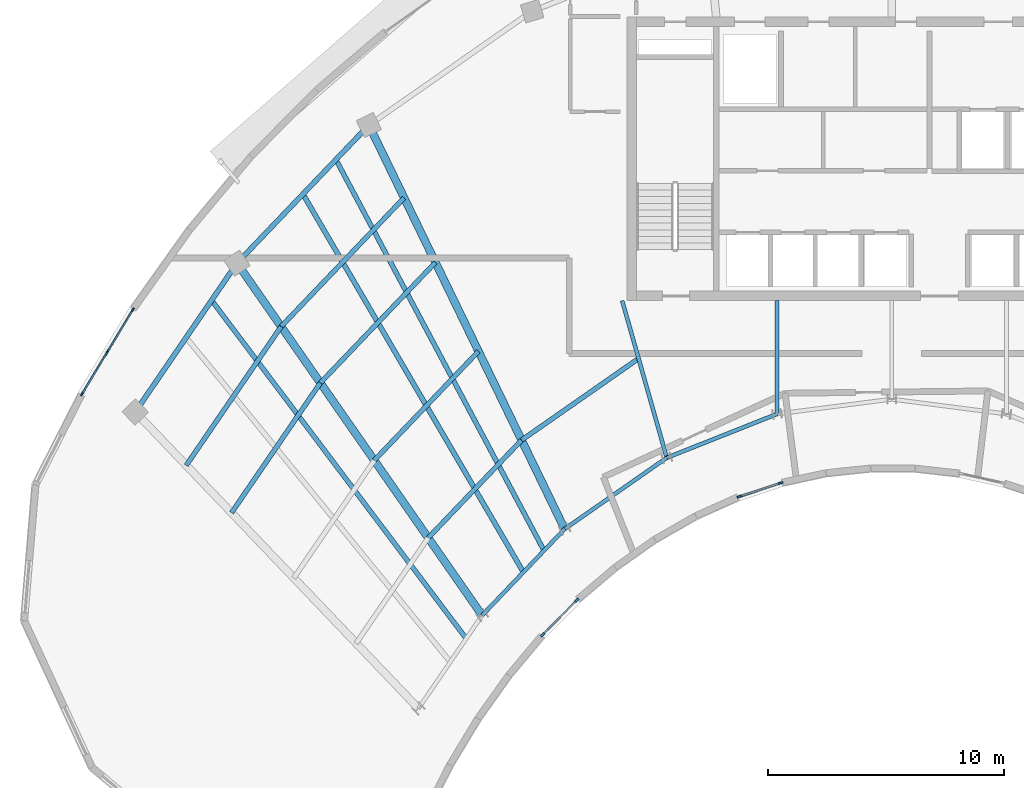
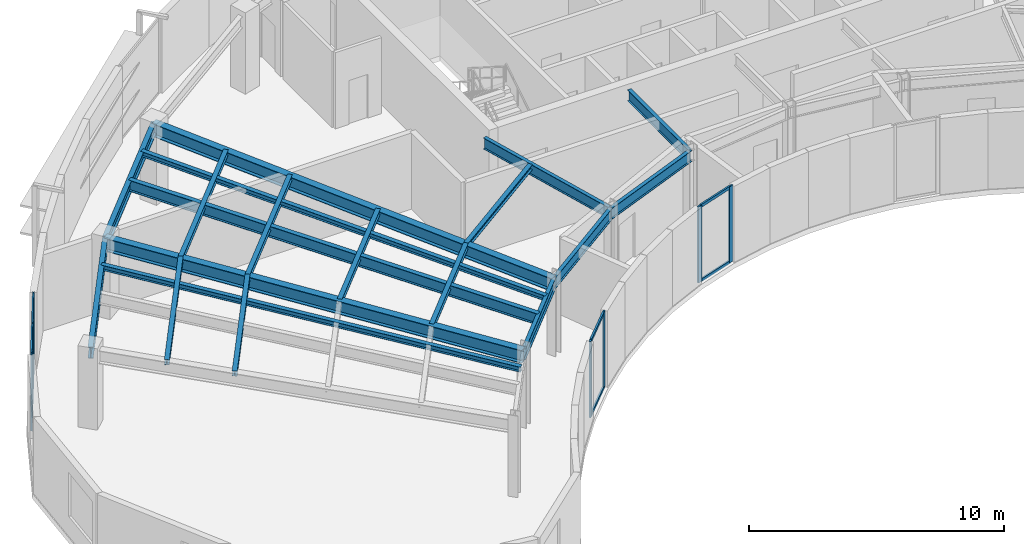
# One storey, part 2 of 12: 19 beams, 17 members, 3 elements without a shape of their own.
"""IFC4 building model written with IfcOpenShell, lengths in metres."""

import ifcopenshell
import ifcopenshell.guid

model = None  # the IFC model being written
_history = None  # IfcOwnerHistory: only IFC2X3 demands one
_inside = {}  # id of a spatial element -> (the spatial element, [elements in it])
_under = {}  # id of a project, library or spatial element -> (it, [spatial elements below it])
_declared = {}  # id of a project -> (the project, [libraries it declares])
_typed = {}  # id of a type object -> (the type object, [elements of that type])
_made_of = {}  # id of a material, layer set ... -> (it, [elements and type objects made of it])


def new_model(schema):
    """Start an empty IFC model of exactly this schema.

    Asked for "IFC4X3", IfcOpenShell would pick the latest addendum, in which some entities
    have other attributes; the version numbers below select the first issue.
    IFC2X3 requires an IfcOwnerHistory on every rooted entity: one is made here for all.
    """
    global model, _history
    if schema == "IFC4X3":
        model = ifcopenshell.file(schema_version=(4, 3, 0, 0))
    else:
        model = ifcopenshell.file(schema=schema)
    _inside.clear()
    _under.clear()
    _declared.clear()
    _typed.clear()
    _made_of.clear()
    _history = None
    if model.schema == "IFC2X3":
        org = make("IfcOrganization", Name="unknown")
        user = make(
            "IfcPersonAndOrganization",
            ThePerson=make("IfcPerson", FamilyName="unknown"),
            TheOrganization=org,
        )
        app = make(
            "IfcApplication",
            ApplicationDeveloper=org,
            Version="unknown",
            ApplicationFullName="unknown",
            ApplicationIdentifier="unknown",
        )
        _history = make(
            "IfcOwnerHistory",
            OwningUser=user,
            OwningApplication=app,
            ChangeAction="ADDED",
            CreationDate=0,
        )
    return model


def make(cls, **values):
    """One entity of the class cls with the attributes given. An attribute that is None is left unset."""
    return model.create_entity(
        cls, **{name: value for name, value in values.items() if value is not None}
    )


def rooted(cls, **values):
    """An entity with a GlobalId (a new one), such as an element, a storey or a relation."""
    return make(cls, GlobalId=ifcopenshell.guid.new(), OwnerHistory=_history, **values)


def si_unit(unit_type, name, prefix=None):
    """IfcSIUnit, for example si_unit("LENGTHUNIT", "METRE", prefix="MILLI")."""
    return make("IfcSIUnit", UnitType=unit_type, Prefix=prefix, Name=name)


def assignment(units):
    """IfcUnitAssignment: the units of a project."""
    return None if units is None else make("IfcUnitAssignment", Units=units)


def point(xyz):
    """IfcCartesianPoint."""
    return None if xyz is None else make("IfcCartesianPoint", Coordinates=xyz)


def direction(xyz):
    """IfcDirection."""
    return None if xyz is None else make("IfcDirection", DirectionRatios=xyz)


def frame(location, z_axis=None, x_axis=None):
    """IfcAxis2Placement3D, a coordinate frame: its origin and axes. An axis left out is left unset."""
    return make(
        "IfcAxis2Placement3D",
        Location=point(location),
        Axis=direction(z_axis),
        RefDirection=direction(x_axis),
    )


def frame_2d(location, x_axis=None):
    """IfcAxis2Placement2D, a coordinate frame in the plane: its origin and x axis."""
    return make(
        "IfcAxis2Placement2D", Location=point(location), RefDirection=direction(x_axis)
    )


def origin():
    """The frame at (0, 0, 0) with its axes left unset."""
    return frame((0.0, 0.0, 0.0))


def origin_2d():
    """The frame at (0, 0) in the plane with its x axis left unset."""
    return frame_2d((0.0, 0.0))


def place(relative_to, where):
    """IfcLocalPlacement: puts the frame where relative to a parent placement (None: the world)."""
    return make(
        "IfcLocalPlacement", PlacementRelTo=relative_to, RelativePlacement=where
    )


def context(
    kind, dimensions, precision=None, world=None, true_north=None, identifier=None
):
    """IfcGeometricRepresentationContext, for example the 3D "Model" context."""
    return make(
        "IfcGeometricRepresentationContext",
        ContextIdentifier=identifier,
        ContextType=kind,
        CoordinateSpaceDimension=dimensions,
        Precision=precision,
        WorldCoordinateSystem=world,
        TrueNorth=true_north,
    )


def subcontext(parent, identifier, kind, view, scale=None):
    """IfcGeometricRepresentationSubContext, for example "Body" below "Model"."""
    return make(
        "IfcGeometricRepresentationSubContext",
        ContextIdentifier=identifier,
        ContextType=kind,
        ParentContext=parent,
        TargetScale=scale,
        TargetView=view,
    )


def project(units=None, contexts=None):
    """IfcProject with its units and contexts."""
    return rooted(
        "IfcProject",
        Name="project",
        RepresentationContexts=contexts,
        UnitsInContext=assignment(units),
    )


def spatial(cls, under=None, at=None, **own):
    """A site, building, storey or space (cls), placed at a placement, below another one or the project."""
    s = rooted(cls, ObjectPlacement=at, **own)
    if under is not None:
        _under.setdefault(under.id(), (under, []))[1].append(s)
    return s


def profile(cls, at=None, kind="AREA", **sizes):
    """A parametric profile (cls). Its sizes go by their IFC names, for example OverallWidth=200.0."""
    return make(cls, ProfileType=kind, Position=at, **sizes)


def rectangle(**sizes):
    """IfcRectangleProfileDef."""
    return profile("IfcRectangleProfileDef", **sizes)


def i_section(**sizes):
    """IfcIShapeProfileDef."""
    return profile("IfcIShapeProfileDef", **sizes)


def extrude(swept, where, along, depth):
    """IfcExtrudedAreaSolid: the profile swept, set in the frame where, extruded along a direction by depth."""
    return make(
        "IfcExtrudedAreaSolid",
        SweptArea=swept,
        Position=where,
        ExtrudedDirection=direction(along),
        Depth=depth,
    )


def shape(context_of_items, identifier, shape_type, items):
    """IfcShapeRepresentation: the items that make up one representation, for example the "Body"."""
    return make(
        "IfcShapeRepresentation",
        ContextOfItems=context_of_items,
        RepresentationIdentifier=identifier,
        RepresentationType=shape_type,
        Items=items,
    )


def source(mapping_origin, context_of_items, identifier, shape_type, items):
    """IfcRepresentationMap: a shape defined once, which mapped items show again and again."""
    return make(
        "IfcRepresentationMap",
        MappingOrigin=mapping_origin,
        MappedRepresentation=shape(context_of_items, identifier, shape_type, items),
    )


def transform(
    local_origin,
    x_axis=None,
    y_axis=None,
    z_axis=None,
    scale=None,
    scale2=None,
    scale3=None,
    uniform=True,
):
    """IfcCartesianTransformationOperator3D, or its non-uniform kind. x_axis, y_axis, z_axis: its Axis1, 2, 3."""
    if uniform:
        return make(
            "IfcCartesianTransformationOperator3D",
            Axis1=direction(x_axis),
            Axis2=direction(y_axis),
            LocalOrigin=point(local_origin),
            Scale=scale,
            Axis3=direction(z_axis),
        )
    return make(
        "IfcCartesianTransformationOperator3DnonUniform",
        Axis1=direction(x_axis),
        Axis2=direction(y_axis),
        LocalOrigin=point(local_origin),
        Scale=scale,
        Axis3=direction(z_axis),
        Scale2=scale2,
        Scale3=scale3,
    )


def mapped(mapping_source, mapping_target):
    """IfcMappedItem: shows the shape of a source again, moved by a transform."""
    return make(
        "IfcMappedItem", MappingSource=mapping_source, MappingTarget=mapping_target
    )


def material(Name=None, Category=None):
    """IfcMaterial."""
    return make("IfcMaterial", Name=Name, Category=Category)


def layer(
    of_material, thickness, ventilated=None, Name=None, Category=None, Priority=None
):
    """IfcMaterialLayer: one layer of a wall or slab, of a material (None: an air gap)."""
    return make(
        "IfcMaterialLayer",
        Material=of_material,
        LayerThickness=thickness,
        IsVentilated=ventilated,
        Name=Name,
        Category=Category,
        Priority=Priority,
    )


def layer_set(layers, Name=None):
    """IfcMaterialLayerSet."""
    return make("IfcMaterialLayerSet", MaterialLayers=layers, LayerSetName=Name)


def material_profile(
    of_material, cross_section, Name=None, Category=None, Priority=None
):
    """IfcMaterialProfile: a cross section and its material."""
    return make(
        "IfcMaterialProfile",
        Name=Name,
        Material=of_material,
        Profile=cross_section,
        Priority=Priority,
        Category=Category,
    )


def profile_set(profiles, Name=None, composite=None):
    """IfcMaterialProfileSet."""
    return make(
        "IfcMaterialProfileSet",
        Name=Name,
        MaterialProfiles=profiles,
        CompositeProfile=composite,
    )


def made_of(thing, what):
    """Note that an element or type object is made of a material, layer set ...; save() writes the relation."""
    if what is not None:
        _made_of.setdefault(what.id(), (what, []))[1].append(thing)
    return thing


def type_object(cls, material=None, **own):
    """A type object (cls), such as IfcWallType, which elements share."""
    return made_of(rooted(cls, **own), material)


def type_shapes(of_type, sources):
    """Give a type object the sources (RepresentationMaps) that its elements show as mapped items."""
    of_type.RepresentationMaps = sources


def element(
    cls,
    number,
    at=None,
    inside=None,
    cuts=None,
    type_object=None,
    material=None,
    context=None,
    identifier="Body",
    shape_type=None,
    held_by="IfcProductDefinitionShape",
    body=None,
    shapes=None,
    **own,
):
    """One element of the class cls, such as IfcWall. Its Tag is "e" and its number.

    at: its placement. inside: the storey or other place that contains it. cuts: it is an
    opening in that element (IfcRelVoidsElement). A single representation is given by context,
    identifier, shape_type and body (its items); several are given by shapes. held_by: the class
    of the entity that holds the representations. save() writes the other relations.
    """
    e = rooted(cls, Tag="e%d" % number, ObjectPlacement=at, **own)
    if body is not None:
        shapes = [shape(context, identifier, shape_type, body)]
    if shapes is not None:
        e.Representation = make(held_by, Representations=shapes)
    if inside is not None:
        _inside.setdefault(inside.id(), (inside, []))[1].append(e)
    if cuts is not None:
        rooted(
            "IfcRelVoidsElement", RelatingBuildingElement=cuts, RelatedOpeningElement=e
        )
    if type_object is not None:
        _typed.setdefault(type_object.id(), (type_object, []))[1].append(e)
    return made_of(e, material)


def aggregate(whole, parts):
    """IfcRelAggregates: a whole, such as a stair, and the parts it consists of."""
    return rooted("IfcRelAggregates", RelatingObject=whole, RelatedObjects=parts)


def save(model, path):
    """Write the relations noted so far, then the file.

    IfcRelAggregates (storeys below a building ...), IfcRelContainedInSpatialStructure (elements
    in a storey), IfcRelDefinesByType, IfcRelAssociatesMaterial and IfcRelDeclares: one each for
    every whole, place, type object, material and project.
    """
    for whole, parts in _under.values():
        aggregate(whole, parts)
    for where, things in _inside.values():
        rooted(
            "IfcRelContainedInSpatialStructure",
            RelatedElements=things,
            RelatingStructure=where,
        )
    for kind, things in _typed.values():
        rooted("IfcRelDefinesByType", RelatedObjects=things, RelatingType=kind)
    for what, things in _made_of.values():
        rooted("IfcRelAssociatesMaterial", RelatedObjects=things, RelatingMaterial=what)
    for by, libraries in _declared.values():
        rooted("IfcRelDeclares", RelatingContext=by, RelatedDefinitions=libraries)
    model.write(path)


model = new_model("IFC4")

# Units and contexts
model_context = context("Model", 3, precision=1e-05, world=origin(), true_north=direction((0.0, 1.0)))
body_context = subcontext(model_context, "Body", "Model", "MODEL_VIEW")
ifc_project = project(units=[si_unit("LENGTHUNIT", "METRE"), si_unit("AREAUNIT", "SQUARE_METRE"), si_unit("VOLUMEUNIT", "CUBIC_METRE"), si_unit("PLANEANGLEUNIT", "RADIAN"), si_unit("MASSUNIT", "GRAM", prefix="KILO")], contexts=[model_context])

# Site, building, storey
site_placement = place(None, origin())
site = spatial("IfcSite", under=ifc_project, at=site_placement, CompositionType="ELEMENT")
building_placement = place(site_placement, origin())
building = spatial("IfcBuilding", under=site, at=building_placement, Name="Breltana Convention Tower", CompositionType="ELEMENT")
storey_placement = place(building_placement, frame((0.0, 0.0, 267.89990234375)))
storey = spatial("IfcBuildingStorey", under=building, at=storey_placement, Name="L65", CompositionType="ELEMENT", Elevation=267.89990234375)

# Beams
ifc_material_1 = material(Name="Steel ASTM A992 Grade 50", Category="steel")
ifc_material_profile_1 = material_profile(ifc_material_1, i_section(OverallWidth=0.166015625, OverallDepth=0.534912109375, WebThickness=0.01025390625, FlangeThickness=0.0166015625, at=origin_2d()), Name="W21X57")
ifc_profile_set_1 = profile_set([ifc_material_profile_1], Name="Steel ASTM A992 Grade 50")
beam_type_1 = type_object("IfcBeamType", Name="BM-BM-W21X57", PredefinedType="BEAM", material=ifc_profile_set_1)
shared_shape_1 = source(origin(), body_context, "Body", "SweptSolid", [
    extrude(i_section(OverallWidth=0.166015625, OverallDepth=0.534912109375, WebThickness=0.01025390625, FlangeThickness=0.0166015625, at=origin_2d()), origin(), (0.0, 0.0, 1.0), 6.904541015625),
])
type_shapes(beam_type_1, [shared_shape_1])
beam_1_placement = place(storey_placement, frame((36.60009765625, 60.199951171875, 3.382568359375), z_axis=(0.273006781054, -0.962012108811, 0.0), x_axis=(0.962012108811, 0.273006781054, 0.0)))
element("IfcBeam", 1, at=beam_1_placement, inside=storey, type_object=beam_type_1, Name="L65 South Core Tie Girder R04", PredefinedType="BEAM", context=body_context, shape_type="MappedRepresentation", body=[
    mapped(shared_shape_1, transform((0.0, 0.0, 0.0), scale=1.0)),
])
shared_shape_2 = source(origin(), body_context, "Body", "SweptSolid", [
    extrude(i_section(OverallWidth=0.166015625, OverallDepth=0.534912109375, WebThickness=0.01025390625, FlangeThickness=0.0166015625, at=origin_2d()), origin(), (0.0, 0.0, 1.0), 4.789306640625),
])
beam_2_placement = place(storey_placement, frame((43.153564453125, 60.199951171875, 3.382568359375), z_axis=(0.0, -1.0, 0.0), x_axis=(1.0, 0.0, 0.0)))
element("IfcBeam", 2, at=beam_2_placement, inside=storey, type_object=beam_type_1, Name="L65 South Core Tie Girder R05", PredefinedType="BEAM", context=body_context, shape_type="MappedRepresentation", body=[
    mapped(shared_shape_2, transform((0.0, 0.0, 0.0), scale=1.0)),
])
shared_shape_3 = source(origin(), body_context, "Body", "SweptSolid", [
    extrude(i_section(OverallWidth=0.166015625, OverallDepth=0.534912109375, WebThickness=0.01025390625, FlangeThickness=0.0166015625, at=origin_2d()), origin(), (0.0, 0.0, 1.0), 5.05126953125),
])
beam_3_placement = place(storey_placement, frame((30.67724609375, 46.892333984375, 3.382568359375), z_axis=(0.690729753845, 0.7231129975, 0.0), x_axis=(-0.7231129975, 0.690729753845, 0.0)))
element("IfcBeam", 3, at=beam_3_placement, inside=storey, type_object=beam_type_1, Name="L65 Inner Ring Beam 02", PredefinedType="BEAM", context=body_context, shape_type="MappedRepresentation", body=[
    mapped(shared_shape_3, transform((0.0, 0.0, 0.0), scale=1.0)),
])
shared_shape_4 = source(origin(), body_context, "Body", "SweptSolid", [
    extrude(i_section(OverallWidth=0.166015625, OverallDepth=0.534912109375, WebThickness=0.01025390625, FlangeThickness=0.0166015625, at=origin_2d()), origin(), (0.0, 0.0, 1.0), 5.265869140625),
])
beam_4_placement = place(storey_placement, frame((34.166259765625, 50.544921875, 3.382568359375), z_axis=(0.820167429517, 0.572123577176, 0.0), x_axis=(-0.572123577176, 0.820167429517, 0.0)))
element("IfcBeam", 4, at=beam_4_placement, inside=storey, type_object=beam_type_1, Name="L65 Inner Ring Beam 03", PredefinedType="BEAM", context=body_context, shape_type="MappedRepresentation", body=[
    mapped(shared_shape_4, transform((0.0, 0.0, 0.0), scale=1.0)),
])
shared_shape_5 = source(origin(), body_context, "Body", "SweptSolid", [
    extrude(i_section(OverallWidth=0.166015625, OverallDepth=0.534912109375, WebThickness=0.01025390625, FlangeThickness=0.0166015625, at=origin_2d()), origin(), (0.0, 0.0, 1.0), 5.022705078125),
])
beam_5_placement = place(storey_placement, frame((38.485107421875, 53.5576171875, 3.382568359375), z_axis=(0.929458966248, 0.368925507469, 0.0), x_axis=(-0.368925507469, 0.929458966248, 0.0)))
element("IfcBeam", 5, at=beam_5_placement, inside=storey, type_object=beam_type_1, Name="L65 Inner Ring Beam 04", PredefinedType="BEAM", context=body_context, shape_type="MappedRepresentation", body=[
    mapped(shared_shape_5, transform((0.0, 0.0, 0.0), scale=1.0)),
])
ifc_material_profile_2 = material_profile(ifc_material_1, i_section(OverallWidth=0.201904296875, OverallDepth=0.2470703125, WebThickness=0.00732421875, FlangeThickness=0.010986328125, at=origin_2d()), Name="W10X33")
ifc_profile_set_2 = profile_set([ifc_material_profile_2], Name="Steel ASTM A992 Grade 50")
beam_type_2 = type_object("IfcBeamType", Name="BM-JSG-11", PredefinedType="JOIST", material=ifc_profile_set_2)
shared_shape_6 = source(origin(), body_context, "Body", "SweptSolid", [
    extrude(i_section(OverallWidth=0.201904296875, OverallDepth=0.2470703125, WebThickness=0.00732421875, FlangeThickness=0.010986328125, at=origin_2d()), origin(), (0.0, 0.0, 1.0), 6.654541015625),
])
beam_6_placement = place(storey_placement, frame((20.0791015625, 51.23095703125, 3.526611328125), z_axis=(0.564482668195, 0.82544492082, 0.0), x_axis=(-0.82544492082, 0.564482668195, 0.0)))
element("IfcBeam", 6, at=beam_6_placement, inside=storey, type_object=beam_type_2, Name="L65 Composite Floor Joist 01.3", PredefinedType="JOIST", context=body_context, shape_type="MappedRepresentation", body=[
    mapped(shared_shape_6, transform((0.0, 0.0, 0.0), scale=1.0)),
])
shared_shape_7 = source(origin(), body_context, "Body", "SweptSolid", [
    extrude(i_section(OverallWidth=0.201904296875, OverallDepth=0.2470703125, WebThickness=0.00732421875, FlangeThickness=0.010986328125, at=origin_2d()), origin(), (0.0, 0.0, 1.0), 7.111328125),
])
beam_7_placement = place(storey_placement, frame((18.162841796875, 53.2373046875, 3.526611328125), z_axis=(0.564446356178, 0.825469751715, 0.0), x_axis=(-0.825469751715, 0.564446356178, 0.0)))
element("IfcBeam", 7, at=beam_7_placement, inside=storey, type_object=beam_type_2, Name="L65 Composite Floor Joist 01.4", PredefinedType="JOIST", context=body_context, shape_type="MappedRepresentation", body=[
    mapped(shared_shape_7, transform((0.0, 0.0, 0.0), scale=1.0)),
])
shared_shape_8 = source(origin(), body_context, "Body", "SweptSolid", [
    extrude(i_section(OverallWidth=0.201904296875, OverallDepth=0.2470703125, WebThickness=0.00732421875, FlangeThickness=0.010986328125, at=origin_2d()), origin(), (0.0, 0.0, 1.0), 17.9072265625),
])
beam_8_placement = place(storey_placement, frame((30.00390625, 45.907958984375, 3.526611328125), z_axis=(-0.601382105028, 0.798961553363, 0.0), x_axis=(-0.798961553363, -0.601382105028, 0.0)))
element("IfcBeam", 8, at=beam_8_placement, inside=storey, type_object=beam_type_2, Name="L65 Quarter-Bay Radial Trimmer 01", PredefinedType="JOIST", context=body_context, shape_type="MappedRepresentation", body=[
    mapped(shared_shape_8, transform((0.0, 0.0, 0.0), scale=1.0)),
])
shared_shape_9 = source(origin(), body_context, "Body", "SweptSolid", [
    extrude(i_section(OverallWidth=0.201904296875, OverallDepth=0.2470703125, WebThickness=0.00732421875, FlangeThickness=0.010986328125, at=origin_2d()), origin(), (0.0, 0.0, 1.0), 5.716064453125),
])
beam_9_placement = place(storey_placement, frame((28.396484375, 50.169677734375, 3.526611328125), z_axis=(0.690756060045, 0.723087868458, 0.0), x_axis=(-0.723087868458, 0.690756060045, 0.0)))
element("IfcBeam", 9, at=beam_9_placement, inside=storey, type_object=beam_type_2, Name="L65 Composite Floor Joist 02.1", PredefinedType="JOIST", context=body_context, shape_type="MappedRepresentation", body=[
    mapped(shared_shape_9, transform((0.0, 0.0, 0.0), scale=1.0)),
])
shared_shape_10 = source(origin(), body_context, "Body", "SweptSolid", [
    extrude(i_section(OverallWidth=0.201904296875, OverallDepth=0.2470703125, WebThickness=0.00732421875, FlangeThickness=0.010986328125, at=origin_2d()), origin(), (0.0, 0.0, 1.0), 6.381103515625),
])
beam_10_placement = place(storey_placement, frame((26.115966796875, 53.44677734375, 3.526611328125), z_axis=(0.690737768889, 0.723105341309, 0.0), x_axis=(-0.723105341309, 0.690737768889, 0.0)))
element("IfcBeam", 10, at=beam_10_placement, inside=storey, type_object=beam_type_2, Name="L65 Composite Floor Joist 02.2", PredefinedType="JOIST", context=body_context, shape_type="MappedRepresentation", body=[
    mapped(shared_shape_10, transform((0.0, 0.0, 0.0), scale=1.0)),
])
shared_shape_11 = source(origin(), body_context, "Body", "SweptSolid", [
    extrude(i_section(OverallWidth=0.201904296875, OverallDepth=0.2470703125, WebThickness=0.00732421875, FlangeThickness=0.010986328125, at=origin_2d()), origin(), (0.0, 0.0, 1.0), 7.046142578125),
])
beam_11_placement = place(storey_placement, frame((23.83544921875, 56.723876953125, 3.526611328125), z_axis=(0.690722929904, 0.723119515782, 0.0), x_axis=(-0.723119515782, 0.690722929904, 0.0)))
element("IfcBeam", 11, at=beam_11_placement, inside=storey, type_object=beam_type_2, Name="L65 Composite Floor Joist 02.3", PredefinedType="JOIST", context=body_context, shape_type="MappedRepresentation", body=[
    mapped(shared_shape_11, transform((0.0, 0.0, 0.0), scale=1.0)),
])
shared_shape_12 = source(origin(), body_context, "Body", "SweptSolid", [
    extrude(i_section(OverallWidth=0.201904296875, OverallDepth=0.2470703125, WebThickness=0.00732421875, FlangeThickness=0.010986328125, at=origin_2d()), origin(), (0.0, 0.0, 1.0), 7.529541015625),
])
beam_12_placement = place(storey_placement, frame((22.1767578125, 59.107421875, 3.526611328125), z_axis=(0.690725562031, 0.723117001568, 0.0), x_axis=(-0.723117001568, 0.690725562031, 0.0)))
element("IfcBeam", 12, at=beam_12_placement, inside=storey, type_object=beam_type_2, Name="L65 Composite Floor Joist 02.4", PredefinedType="JOIST", context=body_context, shape_type="MappedRepresentation", body=[
    mapped(shared_shape_12, transform((0.0, 0.0, 0.0), scale=1.0)),
])
ifc_material_profile_3 = material_profile(ifc_material_1, i_section(OverallWidth=0.2099609375, OverallDepth=0.537109375, WebThickness=0.010986328125, FlangeThickness=0.017333984375, at=origin_2d()), Name="W21X68")
ifc_profile_set_3 = profile_set([ifc_material_profile_3], Name="Steel ASTM A992 Grade 50")
beam_type_3 = type_object("IfcBeamType", Name="BM-JSG-04", PredefinedType="JOIST", material=ifc_profile_set_3)
shared_shape_13 = source(origin(), body_context, "Body", "SweptSolid", [
    extrude(i_section(OverallWidth=0.2099609375, OverallDepth=0.537109375, WebThickness=0.010986328125, FlangeThickness=0.017333984375, at=origin_2d()), origin(), (0.0, 0.0, 1.0), 18.50830078125),
])
beam_13_placement = place(storey_placement, frame((32.421630859375, 48.71875, 3.381591796875), z_axis=(-0.50368319637, 0.863888440537, 0.0), x_axis=(-0.863888440537, -0.50368319637, 0.0)))
element("IfcBeam", 13, at=beam_13_placement, inside=storey, type_object=beam_type_3, Name="L65 Mid-Bay Radial Trimmer 02", PredefinedType="JOIST", context=body_context, shape_type="MappedRepresentation", body=[
    mapped(shared_shape_13, transform((0.0, 0.0, 0.0), scale=1.0)),
])
shared_shape_14 = source(origin(), body_context, "Body", "SweptSolid", [
    extrude(i_section(OverallWidth=0.201904296875, OverallDepth=0.2470703125, WebThickness=0.00732421875, FlangeThickness=0.010986328125, at=origin_2d()), origin(), (0.0, 0.0, 1.0), 18.731689453125),
])
beam_14_placement = place(storey_placement, frame((33.2939453125, 49.6318359375, 3.526611328125), z_axis=(-0.469820250451, 0.882762104004, 0.0), x_axis=(-0.882762104004, -0.469820250451, 0.0)))
element("IfcBeam", 14, at=beam_14_placement, inside=storey, type_object=beam_type_2, Name="L65 Quarter-Bay Radial Trimmer 02", PredefinedType="JOIST", context=body_context, shape_type="MappedRepresentation", body=[
    mapped(shared_shape_14, transform((0.0, 0.0, 0.0), scale=1.0)),
])
shared_shape_15 = source(origin(), body_context, "Body", "SweptSolid", [
    extrude(i_section(OverallWidth=0.201904296875, OverallDepth=0.2470703125, WebThickness=0.00732421875, FlangeThickness=0.010986328125, at=origin_2d()), origin(), (0.0, 0.0, 1.0), 5.959228515625),
])
beam_15_placement = place(storey_placement, frame((32.344970703125, 54.302978515625, 3.526611328125), z_axis=(0.820160485262, 0.572133531979, 0.0), x_axis=(-0.572133531979, 0.820160485262, 0.0)))
element("IfcBeam", 15, at=beam_15_placement, inside=storey, type_object=beam_type_2, Name="L65 Composite Floor Joist 03.1", PredefinedType="JOIST", context=body_context, shape_type="MappedRepresentation", body=[
    mapped(shared_shape_15, transform((0.0, 0.0, 0.0), scale=1.0)),
])
ifc_material_profile_4 = material_profile(ifc_material_1, i_section(OverallWidth=0.326904296875, OverallDepth=0.6220703125, WebThickness=0.015380859375, FlangeThickness=0.0244140625, at=origin_2d()), Name="W24X131")
ifc_profile_set_4 = profile_set([ifc_material_profile_4], Name="Steel ASTM A992 Grade 50")
beam_type_4 = type_object("IfcBeamType", Name="BM-RG-W24X131", PredefinedType="USERDEFINED", material=ifc_profile_set_4)
shared_shape_16 = source(origin(), body_context, "Body", "SweptSolid", [
    extrude(i_section(OverallWidth=0.326904296875, OverallDepth=0.6220703125, WebThickness=0.015380859375, FlangeThickness=0.0244140625, at=origin_2d()), origin(), (0.0, 0.0, 1.0), 18.1484375),
])
beam_16_placement = place(storey_placement, frame((30.67724609375, 46.892333984375, 3.339111328125), z_axis=(-0.571207556098, 0.820805657788, 0.0), x_axis=(-0.820805657788, -0.571207556098, 0.0)))
element("IfcBeam", 16, at=beam_16_placement, inside=storey, type_object=beam_type_4, Name="L65 Radial Floor Girder R02", ObjectType="GIRDER", PredefinedType="USERDEFINED", context=body_context, shape_type="MappedRepresentation", body=[
    mapped(shared_shape_16, transform((0.0, 0.0, 0.0), scale=1.0)),
])
shared_shape_17 = source(origin(), body_context, "Body", "SweptSolid", [
    extrude(i_section(OverallWidth=0.326904296875, OverallDepth=0.6220703125, WebThickness=0.015380859375, FlangeThickness=0.0244140625, at=origin_2d()), origin(), (0.0, 0.0, 1.0), 18.982421875),
])
beam_17_placement = place(storey_placement, frame((34.166259765625, 50.544921875, 3.339111328125), z_axis=(-0.436118560343, 0.89988921614, 0.0), x_axis=(-0.89988921614, -0.436118560343, 0.0)))
element("IfcBeam", 17, at=beam_17_placement, inside=storey, type_object=beam_type_4, Name="L65 Radial Floor Girder R03", ObjectType="GIRDER", PredefinedType="USERDEFINED", context=body_context, shape_type="MappedRepresentation", body=[
    mapped(shared_shape_17, transform((0.0, 0.0, 0.0), scale=1.0)),
])
ifc_material_profile_5 = material_profile(ifc_material_1, i_section(OverallWidth=0.214111328125, OverallDepth=0.549072265625, WebThickness=0.0146484375, FlangeThickness=0.023681640625, at=origin_2d()), Name="W21X93")
ifc_profile_set_5 = profile_set([ifc_material_profile_5], Name="Steel ASTM A992 Grade 50")
beam_type_5 = type_object("IfcBeamType", Name="BM-SP-W21X93", PredefinedType="SPANDREL", material=ifc_profile_set_5)
shared_shape_18 = source(origin(), body_context, "Body", "SweptSolid", [
    extrude(i_section(OverallWidth=0.214111328125, OverallDepth=0.549072265625, WebThickness=0.0146484375, FlangeThickness=0.023681640625, at=origin_2d()), origin(), (0.0, 0.0, 1.0), 7.625),
])
type_shapes(beam_type_5, [shared_shape_18])
beam_18_placement = place(storey_placement, frame((16.0068359375, 55.494384765625, 3.37548828125), z_axis=(0.564452031902, 0.825465870694, 0.0), x_axis=(-0.825465870694, 0.564452031902, 0.0)))
element("IfcBeam", 18, at=beam_18_placement, inside=storey, type_object=beam_type_5, Name="L65 Outer Spandrel Beam 01", PredefinedType="SPANDREL", context=body_context, shape_type="MappedRepresentation", body=[
    mapped(shared_shape_18, transform((0.0, 0.0, 0.0), scale=1.0)),
])
shared_shape_19 = source(origin(), body_context, "Body", "SweptSolid", [
    extrude(i_section(OverallWidth=0.214111328125, OverallDepth=0.549072265625, WebThickness=0.0146484375, FlangeThickness=0.023681640625, at=origin_2d()), origin(), (0.0, 0.0, 1.0), 8.073974609375),
])
beam_19_placement = place(storey_placement, frame((20.310791015625, 61.78857421875, 3.37548828125), z_axis=(0.69072885448, 0.723113856588, 0.0), x_axis=(-0.723113856588, 0.69072885448, 0.0)))
element("IfcBeam", 19, at=beam_19_placement, inside=storey, type_object=beam_type_5, Name="L65 Outer Spandrel Beam 02", PredefinedType="SPANDREL", context=body_context, shape_type="MappedRepresentation", body=[
    mapped(shared_shape_19, transform((0.0, 0.0, 0.0), scale=1.0)),
])

# Curtain wall, members
ifc_material_2 = material(Name="Aluminium Anodised Bronze Frame", Category="aluminium")
ifc_layer_1 = layer(ifc_material_2, 0.18994140625, Name="Aluminium Anodised Bronze Frame")
ifc_layer_set_1 = layer_set([ifc_layer_1], Name="Aluminium Anodised Bronze Frame")
curtain_wall_type_1 = type_object("IfcCurtainWallType", Name="CW-SYS-1", PredefinedType="NOTDEFINED", material=ifc_layer_set_1)
curtain_wall_1_placement = place(storey_placement, origin())
curtain_wall_1 = element("IfcCurtainWall", 20, at=curtain_wall_1_placement, inside=storey, type_object=curtain_wall_type_1, Name="L65 inner south-court glazing 4", PredefinedType="NOTDEFINED")
ifc_material_3 = material(Name="Aluminium Anodised Bronze", Category="aluminium")
ifc_material_profile_6 = material_profile(ifc_material_3, rectangle(XDim=0.080078125, YDim=0.199951171875, at=origin_2d()), Name="CWM-80X200")
ifc_profile_set_6 = profile_set([ifc_material_profile_6], Name="Aluminium Anodised Bronze")
member_type_1 = type_object("IfcMemberType", Name="CWM-200", PredefinedType="MULLION", material=ifc_profile_set_6)
shared_shape_20 = source(origin(), body_context, "Body", "SweptSolid", [
    extrude(rectangle(XDim=0.080078125, YDim=0.199951171875, at=origin_2d()), origin(), (0.0, 0.0, 1.0), 3.650146484375),
])
member_1_placement = place(storey_placement, frame((43.30029296875, 52.490966796875, 0.0), z_axis=(0.0, 0.0, 1.0), x_axis=(0.31315767808, -0.949701147025, 0.0)))
member_1 = element("IfcMember", 21, at=member_1_placement, type_object=member_type_1, Name="CW-01 mullion 1", PredefinedType="MULLION", context=body_context, shape_type="MappedRepresentation", body=[
    mapped(shared_shape_20, transform((0.0, 0.0, 0.0), scale=1.0)),
])
member_2_placement = place(storey_placement, frame((41.556396484375, 51.916015625, 0.0), z_axis=(0.0, 0.0, 1.0), x_axis=(0.31315767808, -0.949701147025, 0.0)))
member_2 = element("IfcMember", 22, at=member_2_placement, type_object=member_type_1, Name="CW-01 mullion 2", PredefinedType="MULLION", context=body_context, shape_type="MappedRepresentation", body=[
    mapped(shared_shape_20, transform((0.0, 0.0, 0.0), scale=1.0)),
])

curtain_wall_2_placement = place(storey_placement, origin())
curtain_wall_2 = element("IfcCurtainWall", 23, at=curtain_wall_2_placement, inside=storey, type_object=curtain_wall_type_1, Name="L65 inner south-court glazing 5", PredefinedType="NOTDEFINED")
member_3_placement = place(storey_placement, frame((34.677001953125, 47.53125, 0.0), z_axis=(0.0, 0.0, 1.0), x_axis=(0.711486765066, -0.702699497037, 0.0)))
member_3 = element("IfcMember", 24, at=member_3_placement, type_object=member_type_1, Name="CW-01 mullion 1", PredefinedType="MULLION", context=body_context, shape_type="MappedRepresentation", body=[
    mapped(shared_shape_20, transform((0.0, 0.0, 0.0), scale=1.0)),
])
member_4_placement = place(storey_placement, frame((33.23779296875, 46.07421875, 0.0), z_axis=(0.0, 0.0, 1.0), x_axis=(0.711486765066, -0.702699497037, 0.0)))
member_4 = element("IfcMember", 25, at=member_4_placement, type_object=member_type_1, Name="CW-01 mullion 2", PredefinedType="MULLION", context=body_context, shape_type="MappedRepresentation", body=[
    mapped(shared_shape_20, transform((0.0, 0.0, 0.0), scale=1.0)),
])

ifc_layer_2 = layer(ifc_material_2, 0.22998046875, Name="Aluminium Anodised Bronze Frame")
ifc_layer_set_2 = layer_set([ifc_layer_2], Name="Aluminium Anodised Bronze Frame")
curtain_wall_type_2 = type_object("IfcCurtainWallType", Name="CW-SYS-5", PredefinedType="NOTDEFINED", material=ifc_layer_set_2)
curtain_wall_3_placement = place(storey_placement, origin())
curtain_wall_3 = element("IfcCurtainWall", 26, at=curtain_wall_3_placement, inside=storey, type_object=curtain_wall_type_2, Name="L65 outer double-skin inner glazing 1", PredefinedType="NOTDEFINED")
ifc_material_profile_7 = material_profile(ifc_material_3, rectangle(XDim=0.070068359375, YDim=0.175048828125, at=origin_2d()), Name="CWM-70X175")
ifc_profile_set_7 = profile_set([ifc_material_profile_7], Name="Aluminium Anodised Bronze")
member_type_2 = type_object("IfcMemberType", Name="CWM-175", PredefinedType="MULLION", material=ifc_profile_set_7)
shared_shape_21 = source(origin(), body_context, "Body", "SweptSolid", [
    extrude(rectangle(XDim=0.070068359375, YDim=0.175048828125, at=origin_2d()), origin(), (0.0, 0.0, 1.0), 3.650146484375),
])
member_5_placement = place(storey_placement, frame((13.757080078125, 56.25732421875, 0.0), z_axis=(0.0, 0.0, 1.0), x_axis=(-0.85606662011, 0.516865496947, 0.0)))
member_5 = element("IfcMember", 27, at=member_5_placement, type_object=member_type_2, Name="CW-05 mullion 1", PredefinedType="MULLION", context=body_context, shape_type="MappedRepresentation", body=[
    mapped(shared_shape_21, transform((0.0, 0.0, 0.0), scale=1.0)),
])
member_6_placement = place(storey_placement, frame((14.830078125, 58.03466796875, 0.0), z_axis=(0.0, 0.0, 1.0), x_axis=(-0.85606662011, 0.516865496947, 0.0)))
member_6 = element("IfcMember", 28, at=member_6_placement, type_object=member_type_2, Name="CW-05 mullion 2", PredefinedType="MULLION", context=body_context, shape_type="MappedRepresentation", body=[
    mapped(shared_shape_21, transform((0.0, 0.0, 0.0), scale=1.0)),
])
member_7_placement = place(storey_placement, frame((15.9033203125, 59.812255859375, 0.0), z_axis=(0.0, 0.0, 1.0), x_axis=(-0.85606662011, 0.516865496947, 0.0)))
member_7 = element("IfcMember", 29, at=member_7_placement, type_object=member_type_2, Name="CW-05 mullion 3", PredefinedType="MULLION", context=body_context, shape_type="MappedRepresentation", body=[
    mapped(shared_shape_21, transform((0.0, 0.0, 0.0), scale=1.0)),
])
ifc_material_profile_8 = material_profile(ifc_material_3, rectangle(XDim=0.070068359375, YDim=0.1201171875, at=origin_2d()), Name="CWT-70X120")
ifc_profile_set_8 = profile_set([ifc_material_profile_8], Name="Aluminium Anodised Bronze")
member_type_3 = type_object("IfcMemberType", Name="CWT-120", PredefinedType="USERDEFINED", material=ifc_profile_set_8)
shared_shape_22 = source(origin(), body_context, "Body", "SweptSolid", [
    extrude(rectangle(XDim=0.070068359375, YDim=0.1201171875, at=origin_2d()), origin(), (0.0, 0.0, 1.0), 2.00634765625),
])
member_8_placement = place(storey_placement, frame((13.775146484375, 56.287109375, 0.03515625), z_axis=(0.516820301281, 0.856093906172, 0.0), x_axis=(-0.856093906172, 0.516820301281, 0.0)))
member_8 = element("IfcMember", 30, at=member_8_placement, type_object=member_type_3, Name="CW-05 transom 1.1", ObjectType="TRANSOM", PredefinedType="USERDEFINED", context=body_context, shape_type="MappedRepresentation", body=[
    mapped(shared_shape_22, transform((0.0, 0.0, 0.0), scale=1.0)),
])
member_9_placement = place(storey_placement, frame((13.775146484375, 56.287109375, 2.37255859375), z_axis=(0.516820301281, 0.856093906172, 0.0), x_axis=(-0.856093906172, 0.516820301281, 0.0)))
member_9 = element("IfcMember", 31, at=member_9_placement, type_object=member_type_3, Name="CW-05 transom 1.2", ObjectType="TRANSOM", PredefinedType="USERDEFINED", context=body_context, shape_type="MappedRepresentation", body=[
    mapped(shared_shape_22, transform((0.0, 0.0, 0.0), scale=1.0)),
])
member_10_placement = place(storey_placement, frame((13.775146484375, 56.287109375, 3.614990234375), z_axis=(0.516820301281, 0.856093906172, 0.0), x_axis=(-0.856093906172, 0.516820301281, 0.0)))
member_10 = element("IfcMember", 32, at=member_10_placement, type_object=member_type_3, Name="CW-05 transom 1.3", ObjectType="TRANSOM", PredefinedType="USERDEFINED", context=body_context, shape_type="MappedRepresentation", body=[
    mapped(shared_shape_22, transform((0.0, 0.0, 0.0), scale=1.0)),
])
member_11_placement = place(storey_placement, frame((14.84814453125, 58.064697265625, 0.03515625), z_axis=(0.516909479571, 0.856040063273, 0.0), x_axis=(-0.856040063273, 0.516909479571, 0.0)))
member_11 = element("IfcMember", 33, at=member_11_placement, type_object=member_type_3, Name="CW-05 transom 2.1", ObjectType="TRANSOM", PredefinedType="USERDEFINED", context=body_context, shape_type="MappedRepresentation", body=[
    mapped(shared_shape_22, transform((0.0, 0.0, 0.0), scale=1.0)),
])
member_12_placement = place(storey_placement, frame((14.84814453125, 58.064697265625, 2.37255859375), z_axis=(0.516909479571, 0.856040063273, 0.0), x_axis=(-0.856040063273, 0.516909479571, 0.0)))
member_12 = element("IfcMember", 34, at=member_12_placement, type_object=member_type_3, Name="CW-05 transom 2.2", ObjectType="TRANSOM", PredefinedType="USERDEFINED", context=body_context, shape_type="MappedRepresentation", body=[
    mapped(shared_shape_22, transform((0.0, 0.0, 0.0), scale=1.0)),
])
member_13_placement = place(storey_placement, frame((14.84814453125, 58.064697265625, 3.614990234375), z_axis=(0.516909479571, 0.856040063273, 0.0), x_axis=(-0.856040063273, 0.516909479571, 0.0)))
member_13 = element("IfcMember", 35, at=member_13_placement, type_object=member_type_3, Name="CW-05 transom 2.3", ObjectType="TRANSOM", PredefinedType="USERDEFINED", context=body_context, shape_type="MappedRepresentation", body=[
    mapped(shared_shape_22, transform((0.0, 0.0, 0.0), scale=1.0)),
])
aggregate(curtain_wall_3, [member_5, member_6, member_7, member_8, member_9, member_10, member_11, member_12, member_13])

# Member
ifc_material_profile_9 = material_profile(ifc_material_3, rectangle(XDim=0.080078125, YDim=0.139892578125, at=origin_2d()), Name="CWT-80X140")
ifc_profile_set_9 = profile_set([ifc_material_profile_9], Name="Aluminium Anodised Bronze")
member_type_4 = type_object("IfcMemberType", Name="CWT-140", PredefinedType="USERDEFINED", material=ifc_profile_set_9)
shared_shape_23 = source(origin(), body_context, "Body", "SweptSolid", [
    extrude(rectangle(XDim=0.080078125, YDim=0.139892578125, at=origin_2d()), origin(), (0.0, 0.0, 1.0), 1.75634765625),
])
member_14_placement = place(storey_placement, frame((43.26220703125, 52.478515625, 0.0400390625), z_axis=(-0.949693161931, -0.313181893125, 0.0), x_axis=(0.313181893125, -0.949693161931, 0.0)))
member_14 = element("IfcMember", 36, at=member_14_placement, type_object=member_type_4, Name="CW-01 transom 1.1", ObjectType="TRANSOM", PredefinedType="USERDEFINED", context=body_context, shape_type="MappedRepresentation", body=[
    mapped(shared_shape_23, transform((0.0, 0.0, 0.0), scale=1.0)),
])

member_15_placement = place(storey_placement, frame((43.26220703125, 52.478515625, 3.610107421875), z_axis=(-0.949693161931, -0.313181893125, 0.0), x_axis=(0.313181893125, -0.949693161931, 0.0)))
member_15 = element("IfcMember", 37, at=member_15_placement, type_object=member_type_4, Name="CW-01 transom 1.2", ObjectType="TRANSOM", PredefinedType="USERDEFINED", context=body_context, shape_type="MappedRepresentation", body=[
    mapped(shared_shape_23, transform((0.0, 0.0, 0.0), scale=1.0)),
])

aggregate(curtain_wall_1, [member_1, member_2, member_14, member_15])

shared_shape_24 = source(origin(), body_context, "Body", "SweptSolid", [
    extrude(rectangle(XDim=0.080078125, YDim=0.139892578125, at=origin_2d()), origin(), (0.0, 0.0, 1.0), 1.968017578125),
])
member_16_placement = place(storey_placement, frame((34.648681640625, 47.5029296875, 0.0400390625), z_axis=(-0.702626830151, -0.711558527144, 0.0), x_axis=(0.711558527144, -0.702626830151, 0.0)))
member_16 = element("IfcMember", 38, at=member_16_placement, type_object=member_type_4, Name="CW-01 transom 1.1", ObjectType="TRANSOM", PredefinedType="USERDEFINED", context=body_context, shape_type="MappedRepresentation", body=[
    mapped(shared_shape_24, transform((0.0, 0.0, 0.0), scale=1.0)),
])

member_17_placement = place(storey_placement, frame((34.648681640625, 47.5029296875, 3.610107421875), z_axis=(-0.702626830151, -0.711558527144, 0.0), x_axis=(0.711558527144, -0.702626830151, 0.0)))
member_17 = element("IfcMember", 39, at=member_17_placement, type_object=member_type_4, Name="CW-01 transom 1.2", ObjectType="TRANSOM", PredefinedType="USERDEFINED", context=body_context, shape_type="MappedRepresentation", body=[
    mapped(shared_shape_24, transform((0.0, 0.0, 0.0), scale=1.0)),
])

aggregate(curtain_wall_2, [member_3, member_4, member_16, member_17])

save(model, "model.ifc")
